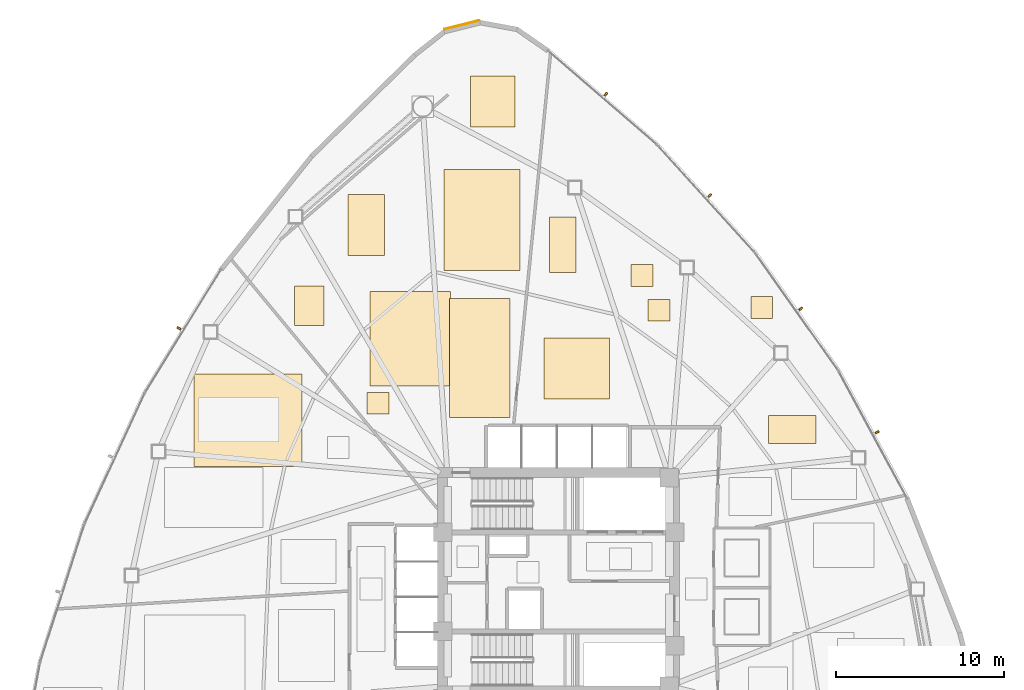
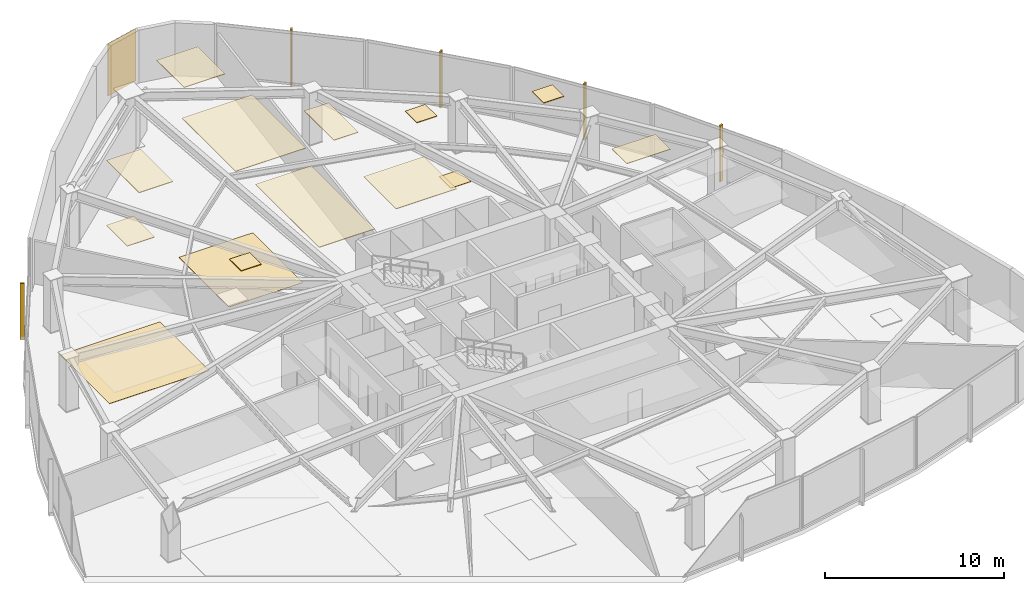
# One storey, part 16 of 16: 15 coverings, 5 shading devices.
"""IFC4 building model written with IfcOpenShell, lengths in metres."""

import ifcopenshell
import ifcopenshell.guid

model = None  # the IFC model being written
_history = None  # IfcOwnerHistory: only IFC2X3 demands one
_inside = {}  # id of a spatial element -> (the spatial element, [elements in it])
_under = {}  # id of a project, library or spatial element -> (it, [spatial elements below it])
_declared = {}  # id of a project -> (the project, [libraries it declares])
_typed = {}  # id of a type object -> (the type object, [elements of that type])
_made_of = {}  # id of a material, layer set ... -> (it, [elements and type objects made of it])


def new_model(schema):
    """Start an empty IFC model of exactly this schema.

    Asked for "IFC4X3", IfcOpenShell would pick the latest addendum, in which some entities
    have other attributes; the version numbers below select the first issue.
    IFC2X3 requires an IfcOwnerHistory on every rooted entity: one is made here for all.
    """
    global model, _history
    if schema == "IFC4X3":
        model = ifcopenshell.file(schema_version=(4, 3, 0, 0))
    else:
        model = ifcopenshell.file(schema=schema)
    _inside.clear()
    _under.clear()
    _declared.clear()
    _typed.clear()
    _made_of.clear()
    _history = None
    if model.schema == "IFC2X3":
        org = make("IfcOrganization", Name="unknown")
        user = make(
            "IfcPersonAndOrganization",
            ThePerson=make("IfcPerson", FamilyName="unknown"),
            TheOrganization=org,
        )
        app = make(
            "IfcApplication",
            ApplicationDeveloper=org,
            Version="unknown",
            ApplicationFullName="unknown",
            ApplicationIdentifier="unknown",
        )
        _history = make(
            "IfcOwnerHistory",
            OwningUser=user,
            OwningApplication=app,
            ChangeAction="ADDED",
            CreationDate=0,
        )
    return model


def make(cls, **values):
    """One entity of the class cls with the attributes given. An attribute that is None is left unset."""
    return model.create_entity(
        cls, **{name: value for name, value in values.items() if value is not None}
    )


def rooted(cls, **values):
    """An entity with a GlobalId (a new one), such as an element, a storey or a relation."""
    return make(cls, GlobalId=ifcopenshell.guid.new(), OwnerHistory=_history, **values)


def si_unit(unit_type, name, prefix=None):
    """IfcSIUnit, for example si_unit("LENGTHUNIT", "METRE", prefix="MILLI")."""
    return make("IfcSIUnit", UnitType=unit_type, Prefix=prefix, Name=name)


def assignment(units):
    """IfcUnitAssignment: the units of a project."""
    return None if units is None else make("IfcUnitAssignment", Units=units)


def point(xyz):
    """IfcCartesianPoint."""
    return None if xyz is None else make("IfcCartesianPoint", Coordinates=xyz)


def direction(xyz):
    """IfcDirection."""
    return None if xyz is None else make("IfcDirection", DirectionRatios=xyz)


def frame(location, z_axis=None, x_axis=None):
    """IfcAxis2Placement3D, a coordinate frame: its origin and axes. An axis left out is left unset."""
    return make(
        "IfcAxis2Placement3D",
        Location=point(location),
        Axis=direction(z_axis),
        RefDirection=direction(x_axis),
    )


def frame_2d(location, x_axis=None):
    """IfcAxis2Placement2D, a coordinate frame in the plane: its origin and x axis."""
    return make(
        "IfcAxis2Placement2D", Location=point(location), RefDirection=direction(x_axis)
    )


def origin():
    """The frame at (0, 0, 0) with its axes left unset."""
    return frame((0.0, 0.0, 0.0))


def origin_2d():
    """The frame at (0, 0) in the plane with its x axis left unset."""
    return frame_2d((0.0, 0.0))


def place(relative_to, where):
    """IfcLocalPlacement: puts the frame where relative to a parent placement (None: the world)."""
    return make(
        "IfcLocalPlacement", PlacementRelTo=relative_to, RelativePlacement=where
    )


def context(
    kind, dimensions, precision=None, world=None, true_north=None, identifier=None
):
    """IfcGeometricRepresentationContext, for example the 3D "Model" context."""
    return make(
        "IfcGeometricRepresentationContext",
        ContextIdentifier=identifier,
        ContextType=kind,
        CoordinateSpaceDimension=dimensions,
        Precision=precision,
        WorldCoordinateSystem=world,
        TrueNorth=true_north,
    )


def subcontext(parent, identifier, kind, view, scale=None):
    """IfcGeometricRepresentationSubContext, for example "Body" below "Model"."""
    return make(
        "IfcGeometricRepresentationSubContext",
        ContextIdentifier=identifier,
        ContextType=kind,
        ParentContext=parent,
        TargetScale=scale,
        TargetView=view,
    )


def project(units=None, contexts=None):
    """IfcProject with its units and contexts."""
    return rooted(
        "IfcProject",
        Name="project",
        RepresentationContexts=contexts,
        UnitsInContext=assignment(units),
    )


def spatial(cls, under=None, at=None, **own):
    """A site, building, storey or space (cls), placed at a placement, below another one or the project."""
    s = rooted(cls, ObjectPlacement=at, **own)
    if under is not None:
        _under.setdefault(under.id(), (under, []))[1].append(s)
    return s


def polyline(points):
    """IfcPolyline through the points."""
    return make("IfcPolyline", Points=[point(p) for p in points])


def profile(cls, at=None, kind="AREA", **sizes):
    """A parametric profile (cls). Its sizes go by their IFC names, for example OverallWidth=200.0."""
    return make(cls, ProfileType=kind, Position=at, **sizes)


def rectangle(**sizes):
    """IfcRectangleProfileDef."""
    return profile("IfcRectangleProfileDef", **sizes)


def outline(outer, holes=None, kind="AREA"):
    """IfcArbitraryClosedProfileDef: a profile drawn as a closed curve; with holes, ...WithVoids."""
    if holes is None:
        return make("IfcArbitraryClosedProfileDef", ProfileType=kind, OuterCurve=outer)
    return make(
        "IfcArbitraryProfileDefWithVoids",
        ProfileType=kind,
        OuterCurve=outer,
        InnerCurves=holes,
    )


def extrude(swept, where, along, depth):
    """IfcExtrudedAreaSolid: the profile swept, set in the frame where, extruded along a direction by depth."""
    return make(
        "IfcExtrudedAreaSolid",
        SweptArea=swept,
        Position=where,
        ExtrudedDirection=direction(along),
        Depth=depth,
    )


def shape(context_of_items, identifier, shape_type, items):
    """IfcShapeRepresentation: the items that make up one representation, for example the "Body"."""
    return make(
        "IfcShapeRepresentation",
        ContextOfItems=context_of_items,
        RepresentationIdentifier=identifier,
        RepresentationType=shape_type,
        Items=items,
    )


def source(mapping_origin, context_of_items, identifier, shape_type, items):
    """IfcRepresentationMap: a shape defined once, which mapped items show again and again."""
    return make(
        "IfcRepresentationMap",
        MappingOrigin=mapping_origin,
        MappedRepresentation=shape(context_of_items, identifier, shape_type, items),
    )


def transform(
    local_origin,
    x_axis=None,
    y_axis=None,
    z_axis=None,
    scale=None,
    scale2=None,
    scale3=None,
    uniform=True,
):
    """IfcCartesianTransformationOperator3D, or its non-uniform kind. x_axis, y_axis, z_axis: its Axis1, 2, 3."""
    if uniform:
        return make(
            "IfcCartesianTransformationOperator3D",
            Axis1=direction(x_axis),
            Axis2=direction(y_axis),
            LocalOrigin=point(local_origin),
            Scale=scale,
            Axis3=direction(z_axis),
        )
    return make(
        "IfcCartesianTransformationOperator3DnonUniform",
        Axis1=direction(x_axis),
        Axis2=direction(y_axis),
        LocalOrigin=point(local_origin),
        Scale=scale,
        Axis3=direction(z_axis),
        Scale2=scale2,
        Scale3=scale3,
    )


def mapped(mapping_source, mapping_target):
    """IfcMappedItem: shows the shape of a source again, moved by a transform."""
    return make(
        "IfcMappedItem", MappingSource=mapping_source, MappingTarget=mapping_target
    )


def material(Name=None, Category=None):
    """IfcMaterial."""
    return make("IfcMaterial", Name=Name, Category=Category)


def layer(
    of_material, thickness, ventilated=None, Name=None, Category=None, Priority=None
):
    """IfcMaterialLayer: one layer of a wall or slab, of a material (None: an air gap)."""
    return make(
        "IfcMaterialLayer",
        Material=of_material,
        LayerThickness=thickness,
        IsVentilated=ventilated,
        Name=Name,
        Category=Category,
        Priority=Priority,
    )


def layer_set(layers, Name=None):
    """IfcMaterialLayerSet."""
    return make("IfcMaterialLayerSet", MaterialLayers=layers, LayerSetName=Name)


def made_of(thing, what):
    """Note that an element or type object is made of a material, layer set ...; save() writes the relation."""
    if what is not None:
        _made_of.setdefault(what.id(), (what, []))[1].append(thing)
    return thing


def type_object(cls, material=None, **own):
    """A type object (cls), such as IfcWallType, which elements share."""
    return made_of(rooted(cls, **own), material)


def type_shapes(of_type, sources):
    """Give a type object the sources (RepresentationMaps) that its elements show as mapped items."""
    of_type.RepresentationMaps = sources


def element(
    cls,
    number,
    at=None,
    inside=None,
    cuts=None,
    type_object=None,
    material=None,
    context=None,
    identifier="Body",
    shape_type=None,
    held_by="IfcProductDefinitionShape",
    body=None,
    shapes=None,
    **own,
):
    """One element of the class cls, such as IfcWall. Its Tag is "e" and its number.

    at: its placement. inside: the storey or other place that contains it. cuts: it is an
    opening in that element (IfcRelVoidsElement). A single representation is given by context,
    identifier, shape_type and body (its items); several are given by shapes. held_by: the class
    of the entity that holds the representations. save() writes the other relations.
    """
    e = rooted(cls, Tag="e%d" % number, ObjectPlacement=at, **own)
    if body is not None:
        shapes = [shape(context, identifier, shape_type, body)]
    if shapes is not None:
        e.Representation = make(held_by, Representations=shapes)
    if inside is not None:
        _inside.setdefault(inside.id(), (inside, []))[1].append(e)
    if cuts is not None:
        rooted(
            "IfcRelVoidsElement", RelatingBuildingElement=cuts, RelatedOpeningElement=e
        )
    if type_object is not None:
        _typed.setdefault(type_object.id(), (type_object, []))[1].append(e)
    return made_of(e, material)


def aggregate(whole, parts):
    """IfcRelAggregates: a whole, such as a stair, and the parts it consists of."""
    return rooted("IfcRelAggregates", RelatingObject=whole, RelatedObjects=parts)


def save(model, path):
    """Write the relations noted so far, then the file.

    IfcRelAggregates (storeys below a building ...), IfcRelContainedInSpatialStructure (elements
    in a storey), IfcRelDefinesByType, IfcRelAssociatesMaterial and IfcRelDeclares: one each for
    every whole, place, type object, material and project.
    """
    for whole, parts in _under.values():
        aggregate(whole, parts)
    for where, things in _inside.values():
        rooted(
            "IfcRelContainedInSpatialStructure",
            RelatedElements=things,
            RelatingStructure=where,
        )
    for kind, things in _typed.values():
        rooted("IfcRelDefinesByType", RelatedObjects=things, RelatingType=kind)
    for what, things in _made_of.values():
        rooted("IfcRelAssociatesMaterial", RelatedObjects=things, RelatingMaterial=what)
    for by, libraries in _declared.values():
        rooted("IfcRelDeclares", RelatingContext=by, RelatedDefinitions=libraries)
    model.write(path)


model = new_model("IFC4")

# Units and contexts
model_context = context("Model", 3, precision=1e-05, world=origin(), true_north=direction((0.0, 1.0)))
body_context = subcontext(model_context, "Body", "Model", "MODEL_VIEW")
ifc_project = project(units=[si_unit("LENGTHUNIT", "METRE"), si_unit("AREAUNIT", "SQUARE_METRE"), si_unit("VOLUMEUNIT", "CUBIC_METRE"), si_unit("PLANEANGLEUNIT", "RADIAN"), si_unit("MASSUNIT", "GRAM", prefix="KILO")], contexts=[model_context])

# Site, building, storey
site_placement = place(None, origin())
site = spatial("IfcSite", under=ifc_project, at=site_placement, CompositionType="ELEMENT")
building_placement = place(site_placement, origin())
building = spatial("IfcBuilding", under=site, at=building_placement, Name="Tavelor Broadcast Tower", CompositionType="ELEMENT")
storey_placement = place(building_placement, frame((0.0, 0.0, 31.5)))
storey = spatial("IfcBuildingStorey", under=building, at=storey_placement, Name="L06", CompositionType="ELEMENT", Elevation=31.5)

# Coverings
ifc_material_1 = material(Name="Copper-Bronze Anodized Aluminium", Category="aluminium")
ifc_layer_1 = layer(ifc_material_1, 0.050048828125)
ifc_layer_set_1 = layer_set([ifc_layer_1], Name="Copper-Bronze Anodized Aluminium")
covering_type_1 = type_object("IfcCoveringType", Name="Champagne-Bronze Corner Pier Metal Cladding 50 mm", PredefinedType="CLADDING", material=ifc_layer_set_1)
covering_1_placement = place(storey_placement, frame((44.2490234375, 78.14453125, 0.02001953125), z_axis=(0.0, 0.0, 1.0), x_axis=(-0.970506473469, -0.241075060833, 0.0)))
element("IfcCovering", 1, at=covering_1_placement, inside=storey, type_object=covering_type_1, Name="L06 Champagne-Bronze Corner Cladding 03", PredefinedType="CLADDING", context=body_context, shape_type="SweptSolid", body=[
    extrude(rectangle(XDim=2.168701171875, YDim=0.050048828125, at=origin_2d()), origin(), (0.0, 0.0, 1.0), 3.56005859375),
])
ifc_material_2 = material(Name="Acoustic Nylon Carpet Tile")
ifc_layer_2 = layer(ifc_material_2, 0.02001953125)
ifc_layer_set_2 = layer_set([ifc_layer_2], Name="Acoustic Nylon Carpet Tile")
covering_type_2 = type_object("IfcCoveringType", Name="Heavy-Duty Acoustic Broadcast Carpet Tile 20 mm", PredefinedType="FLOORING", material=ifc_layer_set_2)
covering_2_placement = place(storey_placement, origin())
element("IfcCovering", 2, at=covering_2_placement, inside=storey, type_object=covering_type_2, Name="L06 Broadcast Floor Finish 0069", PredefinedType="FLOORING", context=body_context, shape_type="SweptSolid", body=[
    extrude(outline(polyline([(28.298583984375, 51.860107421875), (34.739990234375, 51.860107421875), (34.739990234375, 57.358642578125), (28.298583984375, 57.358642578125), (28.298583984375, 51.860107421875)])), origin(), (0.0, 0.0, 1.0), 0.02001953125),
])
covering_3_placement = place(storey_placement, origin())
element("IfcCovering", 3, at=covering_3_placement, inside=storey, type_object=covering_type_2, Name="L06 Broadcast Floor Finish 0070", PredefinedType="FLOORING", context=body_context, shape_type="SweptSolid", body=[
    extrude(outline(polyline([(38.78466796875, 56.665283203125), (43.57177734375, 56.665283203125), (43.57177734375, 62.2783203125), (38.78466796875, 62.2783203125), (38.78466796875, 56.665283203125)])), origin(), (0.0, 0.0, 1.0), 0.02001953125),
])
covering_4_placement = place(storey_placement, origin())
element("IfcCovering", 4, at=covering_4_placement, inside=storey, type_object=covering_type_2, Name="L06 Broadcast Floor Finish 0071", PredefinedType="FLOORING", context=body_context, shape_type="SweptSolid", body=[
    extrude(outline(polyline([(55.3330078125, 60.5107421875), (56.6328125, 60.5107421875), (56.6328125, 61.810791015625), (55.3330078125, 61.810791015625), (55.3330078125, 60.5107421875)])), origin(), (0.0, 0.0, 1.0), 0.02001953125),
])
ifc_material_3 = material(Name="Acoustic Mineral Fibre Tile")
ifc_layer_3 = layer(ifc_material_3, 0.0400390625)
ifc_layer_set_3 = layer_set([ifc_layer_3], Name="Acoustic Mineral Fibre Tile")
covering_type_3 = type_object("IfcCoveringType", Name="Suspended Acoustic Mineral-Fibre Office Ceiling 40 mm", PredefinedType="CEILING", material=ifc_layer_set_3)
covering_5_placement = place(storey_placement, frame((0.0, 0.0, 3.56005859375)))
element("IfcCovering", 5, at=covering_5_placement, inside=storey, type_object=covering_type_3, Name="L06 Suspended Acoustic Ceiling 0188", PredefinedType="CEILING", context=body_context, shape_type="SweptSolid", body=[
    extrude(outline(polyline([(37.46337890625, 64.42236328125), (39.65283203125, 64.42236328125), (39.65283203125, 68.059814453125), (37.46337890625, 68.059814453125), (37.46337890625, 64.42236328125)])), origin(), (0.0, 0.0, 1.0), 0.0400390625),
])
covering_6_placement = place(storey_placement, frame((0.0, 0.0, 3.56005859375)))
element("IfcCovering", 6, at=covering_6_placement, inside=storey, type_object=covering_type_3, Name="L06 Suspended Acoustic Ceiling 0189", PredefinedType="CEILING", context=body_context, shape_type="SweptSolid", body=[
    extrude(outline(polyline([(43.173095703125, 63.525390625), (47.7109375, 63.525390625), (47.7109375, 69.530029296875), (43.173095703125, 69.530029296875), (43.173095703125, 63.525390625)])), origin(), (0.0, 0.0, 1.0), 0.0400390625),
])
covering_7_placement = place(storey_placement, frame((0.0, 0.0, 3.56005859375)))
element("IfcCovering", 7, at=covering_7_placement, inside=storey, type_object=covering_type_3, Name="L06 Suspended Acoustic Ceiling 0190", PredefinedType="CEILING", context=body_context, shape_type="SweptSolid", body=[
    extrude(outline(polyline([(44.76513671875, 72.052001953125), (47.41259765625, 72.052001953125), (47.41259765625, 75.111083984375), (44.76513671875, 75.111083984375), (44.76513671875, 72.052001953125)])), origin(), (0.0, 0.0, 1.0), 0.0400390625),
])
covering_8_placement = place(storey_placement, frame((0.0, 0.0, 3.56005859375)))
element("IfcCovering", 8, at=covering_8_placement, inside=storey, type_object=covering_type_3, Name="L06 Suspended Acoustic Ceiling 0191", PredefinedType="CEILING", context=body_context, shape_type="SweptSolid", body=[
    extrude(outline(polyline([(43.505126953125, 54.7744140625), (47.11328125, 54.7744140625), (47.11328125, 61.8740234375), (43.505126953125, 61.8740234375), (43.505126953125, 54.7744140625)])), origin(), (0.0, 0.0, 1.0), 0.0400390625),
])
covering_9_placement = place(storey_placement, frame((0.0, 0.0, 3.56005859375)))
element("IfcCovering", 9, at=covering_9_placement, inside=storey, type_object=covering_type_3, Name="L06 Suspended Acoustic Ceiling 0192", PredefinedType="CEILING", context=body_context, shape_type="SweptSolid", body=[
    extrude(outline(polyline([(38.599609375, 54.973388671875), (39.8994140625, 54.973388671875), (39.8994140625, 56.273193359375), (38.599609375, 56.273193359375), (38.599609375, 54.973388671875)])), origin(), (0.0, 0.0, 1.0), 0.0400390625),
])
covering_10_placement = place(storey_placement, frame((0.0, 0.0, 3.56005859375)))
element("IfcCovering", 10, at=covering_10_placement, inside=storey, type_object=covering_type_3, Name="L06 Suspended Acoustic Ceiling 0193", PredefinedType="CEILING", context=body_context, shape_type="SweptSolid", body=[
    extrude(outline(polyline([(34.281982421875, 60.243408203125), (36.048583984375, 60.243408203125), (36.048583984375, 62.591064453125), (34.281982421875, 62.591064453125), (34.281982421875, 60.243408203125)])), origin(), (0.0, 0.0, 1.0), 0.0400390625),
])
covering_11_placement = place(storey_placement, frame((0.0, 0.0, 3.56005859375)))
element("IfcCovering", 11, at=covering_11_placement, inside=storey, type_object=covering_type_3, Name="L06 Suspended Acoustic Ceiling 0194", PredefinedType="CEILING", context=body_context, shape_type="SweptSolid", body=[
    extrude(outline(polyline([(49.125732421875, 55.872314453125), (53.033447265625, 55.872314453125), (53.033447265625, 59.500732421875), (49.125732421875, 59.500732421875), (49.125732421875, 55.872314453125)])), origin(), (0.0, 0.0, 1.0), 0.0400390625),
])
covering_12_placement = place(storey_placement, frame((0.0, 0.0, 3.56005859375)))
element("IfcCovering", 12, at=covering_12_placement, inside=storey, type_object=covering_type_3, Name="L06 Suspended Acoustic Ceiling 0195", PredefinedType="CEILING", context=body_context, shape_type="SweptSolid", body=[
    extrude(outline(polyline([(49.44775390625, 63.399658203125), (51.03662109375, 63.399658203125), (51.03662109375, 66.71484375), (49.44775390625, 66.71484375), (49.44775390625, 63.399658203125)])), origin(), (0.0, 0.0, 1.0), 0.0400390625),
])
covering_13_placement = place(storey_placement, frame((0.0, 0.0, 3.56005859375)))
element("IfcCovering", 13, at=covering_13_placement, inside=storey, type_object=covering_type_3, Name="L06 Suspended Acoustic Ceiling 0196", PredefinedType="CEILING", context=body_context, shape_type="SweptSolid", body=[
    extrude(outline(polyline([(61.436279296875, 60.680419921875), (62.736328125, 60.680419921875), (62.736328125, 61.98046875), (61.436279296875, 61.98046875), (61.436279296875, 60.680419921875)])), origin(), (0.0, 0.0, 1.0), 0.0400390625),
])
covering_14_placement = place(storey_placement, frame((0.0, 0.0, 3.56005859375)))
element("IfcCovering", 14, at=covering_14_placement, inside=storey, type_object=covering_type_3, Name="L06 Suspended Acoustic Ceiling 0199", PredefinedType="CEILING", context=body_context, shape_type="SweptSolid", body=[
    extrude(outline(polyline([(62.492431640625, 53.234375), (65.3046875, 53.234375), (65.3046875, 54.909423828125), (62.492431640625, 54.909423828125), (62.492431640625, 53.234375)])), origin(), (0.0, 0.0, 1.0), 0.0400390625),
])
covering_15_placement = place(storey_placement, frame((0.0, 0.0, 3.56005859375)))
element("IfcCovering", 15, at=covering_15_placement, inside=storey, type_object=covering_type_3, Name="L06 Suspended Acoustic Ceiling 0200", PredefinedType="CEILING", context=body_context, shape_type="SweptSolid", body=[
    extrude(outline(polyline([(54.32470703125, 62.56884765625), (55.62451171875, 62.56884765625), (55.62451171875, 63.868896484375), (54.32470703125, 63.868896484375), (54.32470703125, 62.56884765625)])), origin(), (0.0, 0.0, 1.0), 0.0400390625),
])

# Shading devices
ifc_material_4 = material(Name="Kiln-Fired Glazed Terracotta", Category="masonry")
shading_device_type = type_object("IfcShadingDeviceType", Name="Extruded Terracotta Baguette Sun-Screen 110x240", PredefinedType="JALOUSIE", material=ifc_material_4)
shared_shape = source(origin(), body_context, "Body", "SweptSolid", [
    extrude(rectangle(XDim=0.110107421875, YDim=0.239990234375, at=origin_2d()), origin(), (0.0, 0.0, 1.0), 3.840087890625),
])
type_shapes(shading_device_type, [shared_shape])
for number, where, z_axis, x_axis, name in (
    (16, (27.40576171875, 60.085693359375, -0.26025390625), (0.0, 0.0, 1.0), (-0.525174629961, -0.850994481795, 0.0), "L06 Terracotta Baguette Fin 25"),
    (17, (68.9619140625, 53.90673828125, -0.26025390625), (0.0, 0.0, 1.0), (-0.474395524734, 0.880311811867, 0.0), "L06 Terracotta Baguette Fin 33"),
    (18, (64.40966796875, 61.24853515625, -0.26025390625), (0.0, 0.0, 1.0), (-0.577572703422, 0.816339250717, 0.0), "L06 Terracotta Baguette Fin 34"),
    (19, (59.002197265625, 67.985595703125, -0.26025390625), (0.0, 0.0, 1.0), (-0.672108381607, 0.740452782677, 0.0), "L06 Terracotta Baguette Fin 35"),
    (20, (52.819580078125, 74.01904296875, -0.26025390625), (0.0, 0.0, 1.0), (-0.756766922719, 0.653684805299, 0.0), "L06 Terracotta Baguette Fin 36"),
):
    element("IfcShadingDevice", number, at=place(storey_placement, frame(where, z_axis=z_axis, x_axis=x_axis)), inside=storey, type_object=shading_device_type, Name=name, PredefinedType="JALOUSIE", context=body_context, shape_type="MappedRepresentation", body=[
        mapped(shared_shape, transform((0.0, 0.0, 0.0), scale=1.0)),
    ])

save(model, "model.ifc")
